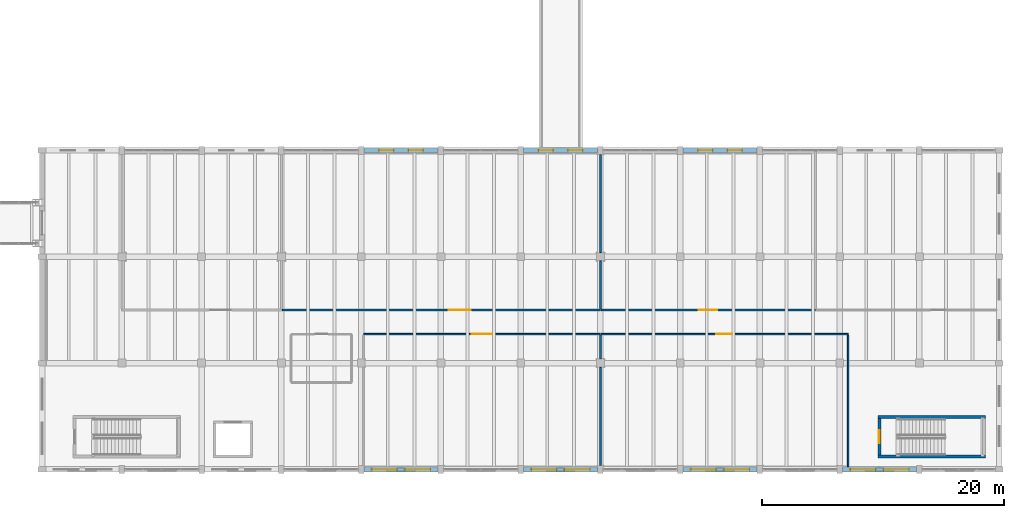
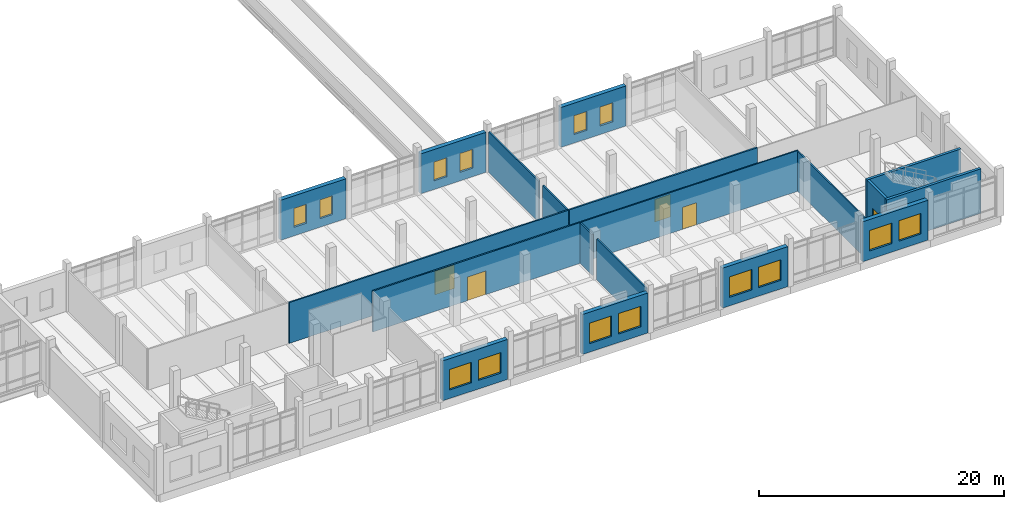
# One storey, part 75 of 101: 19 walls, 14 windows, 5 doors, 19 openings.
"""IFC4 building model written with IfcOpenShell, lengths in metres."""

from ifc_helpers import new_model, si_unit, direction, frame, frame_2d, origin, place, context, subcontext, project, spatial, rectangle, extrude, material, layer, layer_set, type_object, element, fill, save


model = new_model("IFC4")

# Units and contexts
model_context = context("Model", 3, precision=1e-05, world=origin(), true_north=direction((0.0, 1.0)))
body_context = subcontext(model_context, "Body", "Model", "MODEL_VIEW")
ifc_project = project(units=[si_unit("LENGTHUNIT", "METRE"), si_unit("AREAUNIT", "SQUARE_METRE"), si_unit("VOLUMEUNIT", "CUBIC_METRE"), si_unit("PLANEANGLEUNIT", "RADIAN"), si_unit("MASSUNIT", "GRAM", prefix="KILO")], contexts=[model_context])

# Site, building, storey
site_placement = place(None, origin())
site = spatial("IfcSite", under=ifc_project, at=site_placement, CompositionType="ELEMENT")
building_placement = place(site_placement, origin())
building = spatial("IfcBuilding", under=site, at=building_placement, Name="Dornvale Research Institute", CompositionType="ELEMENT")
storey_placement = place(building_placement, frame((0.0, 0.0, 10.199951171875)))
storey = spatial("IfcBuildingStorey", under=building, at=storey_placement, Name="L02", CompositionType="ELEMENT", Elevation=10.199951171875)

# Wall, opening, door
ifc_material_1 = material(Name="Epoxy-Coated Aluminum Honeycomb Cleanroom Partition", Category="aluminium")
ifc_layer_1 = layer(ifc_material_1, 0.139892578125)
ifc_layer_set_1 = layer_set([ifc_layer_1], Name="Epoxy-Coated Aluminum Honeycomb Cleanroom Partition")
wall_type_1 = type_object("IfcWallType", Name="Partition_Cleanroom_140", PredefinedType="PARTITIONING", material=ifc_layer_set_1)
wall_1_placement = place(storey_placement, frame((118.885009765625, 13.199951171875, 0.0), z_axis=(0.0, 0.0, 1.0), x_axis=(1.0, 0.0, 0.0)))
wall_1 = element("IfcWall", 1, at=wall_1_placement, inside=storey, type_object=wall_type_1, Name="L02 V3 interior partition #296", PredefinedType="PARTITIONING", context=body_context, shape_type="SweptSolid", body=[
    extrude(rectangle(XDim=26.31494140625, YDim=0.139892578125, at=frame_2d((13.157470703125, 0.0))), origin(), (0.0, 0.0, 1.0), 4.06494140625),
])
opening_1_placement = place(wall_1_placement, frame((13.7548828125, 0.0, 0.0)))
opening_1 = element("IfcOpeningElement", 2, at=opening_1_placement, cuts=wall_1, Name="Opening ID-02", PredefinedType="OPENING", context=body_context, shape_type="SweptSolid", body=[
    extrude(rectangle(XDim=1.820068359375, YDim=2.35009765625, at=frame_2d((0.91015625, 1.175048828125))), frame((0.0, 0.0849609375, 0.0), z_axis=(0.0, -1.0, 0.0), x_axis=(1.0, 0.0, 0.0)), (0.0, 0.0, 1.0), 0.169921875),
])
ifc_material_2 = material(Name="Insulated Fire-Rated Hollow Metal Door Assembly")
door_type_1 = type_object("IfcDoorType", Name="Door_CleanAirlock_1820x2350", OperationType="SINGLE_SWING_LEFT", PredefinedType="DOOR", material=ifc_material_2)
door_1_placement = place(opening_1_placement, origin())
door_1 = element("IfcDoor", 3, at=door_1_placement, inside=storey, type_object=door_type_1, Name="L02 ISO Class 7 Microfluidics Cleanroom Bay door #119", OperationType="DOUBLE_DOOR_SINGLE_SWING", OverallHeight=2.35009765625, OverallWidth=1.820068359375, PredefinedType="DOOR", context=body_context, shape_type="SweptSolid", body=[
    extrude(rectangle(XDim=1.820068359375, YDim=2.35009765625, at=frame_2d((0.91015625, 1.175048828125))), frame((0.0, 0.02490234375, 0.0), z_axis=(0.0, -1.0, 0.0), x_axis=(1.0, 0.0, 0.0)), (0.0, 0.0, 1.0), 0.050048828125),
])
fill(opening_1, door_1)

# Walls
wall_2_placement = place(storey_placement, frame((145.199951171875, 13.284912109375, 0.0), z_axis=(0.0, 0.0, 1.0), x_axis=(0.0, 1.0, 0.0)))
element("IfcWall", 4, at=wall_2_placement, inside=storey, type_object=wall_type_1, Name="L02 V3 interior partition #297", PredefinedType="PARTITIONING", context=body_context, shape_type="SweptSolid", body=[
    extrude(rectangle(XDim=3.969970703125, YDim=0.139892578125, at=frame_2d((1.98486328125, 0.0))), origin(), (0.0, 0.0, 1.0), 4.06494140625),
])
wall_3_placement = place(storey_placement, frame((145.199951171875, 17.945068359375, 0.0), z_axis=(0.0, 0.0, 1.0), x_axis=(0.0, 1.0, 0.0)))
element("IfcWall", 5, at=wall_3_placement, inside=storey, type_object=wall_type_1, Name="L02 V3 interior partition #298", PredefinedType="PARTITIONING", context=body_context, shape_type="SweptSolid", body=[
    extrude(rectangle(XDim=8.10986328125, YDim=0.139892578125, at=frame_2d((4.054931640625, 0.0))), origin(), (0.0, 0.0, 1.0), 4.06494140625),
])

# Wall, opening, door
wall_4_placement = place(storey_placement, frame((125.60009765625, 11.199951171875, 0.0), z_axis=(0.0, 0.0, 1.0), x_axis=(1.0, 0.0, 0.0)))
wall_4 = element("IfcWall", 6, at=wall_4_placement, inside=storey, type_object=wall_type_1, Name="L02 V3 interior partition #302", PredefinedType="PARTITIONING", context=body_context, shape_type="SweptSolid", body=[
    extrude(rectangle(XDim=19.599853515625, YDim=0.139892578125, at=frame_2d((9.7998046875, 0.0))), origin(), (0.0, 0.0, 1.0), 4.06494140625),
])
opening_2_placement = place(wall_4_placement, frame((8.93994140625, 0.0, 0.0)))
opening_2 = element("IfcOpeningElement", 7, at=opening_2_placement, cuts=wall_4, Name="Opening ID-03", PredefinedType="OPENING", context=body_context, shape_type="SweptSolid", body=[
    extrude(rectangle(XDim=1.719970703125, YDim=2.35009765625, at=frame_2d((0.85986328125, 1.175048828125))), frame((0.0, 0.0849609375, 0.0), z_axis=(0.0, -1.0, 0.0), x_axis=(1.0, 0.0, 0.0)), (0.0, 0.0, 1.0), 0.169921875),
])
ifc_material_3 = material(Name="Insulated Fire-Rated Hollow Metal Door Assembly")
door_type_2 = type_object("IfcDoorType", Name="Door_CleanBay_1720x2350", OperationType="SINGLE_SWING_LEFT", PredefinedType="DOOR", material=ifc_material_3)
door_2_placement = place(opening_2_placement, origin())
door_2 = element("IfcDoor", 8, at=door_2_placement, inside=storey, type_object=door_type_2, Name="L02 Cleanroom Return-Air Service Chase L02 door #122", OperationType="DOUBLE_DOOR_SINGLE_SWING", OverallHeight=2.35009765625, OverallWidth=1.719970703125, PredefinedType="DOOR", context=body_context, shape_type="SweptSolid", body=[
    extrude(rectangle(XDim=1.719970703125, YDim=2.35009765625, at=frame_2d((0.85986328125, 1.175048828125))), frame((0.0, 0.02490234375, 0.0), z_axis=(0.0, -1.0, 0.0), x_axis=(1.0, 0.0, 0.0)), (0.0, 0.0, 1.0), 0.050048828125),
])
fill(opening_2, door_2)

# Walls
wall_5_placement = place(storey_placement, frame((145.199951171875, 0.344970703125, 0.0), z_axis=(0.0, 0.0, 1.0), x_axis=(0.0, 1.0, 0.0)))
element("IfcWall", 9, at=wall_5_placement, inside=storey, type_object=wall_type_1, Name="L02 V3 interior partition #305", PredefinedType="PARTITIONING", context=body_context, shape_type="SweptSolid", body=[
    extrude(rectangle(XDim=8.110107421875, YDim=0.139892578125, at=frame_2d((4.05517578125, 0.0))), origin(), (0.0, 0.0, 1.0), 4.06494140625),
])
wall_6_placement = place(storey_placement, frame((145.199951171875, 9.14501953125, 0.0), z_axis=(0.0, 0.0, 1.0), x_axis=(0.0, 1.0, 0.0)))
element("IfcWall", 10, at=wall_6_placement, inside=storey, type_object=wall_type_1, Name="L02 V3 interior partition #306", PredefinedType="PARTITIONING", context=body_context, shape_type="SweptSolid", body=[
    extrude(rectangle(XDim=1.969970703125, YDim=0.139892578125, at=frame_2d((0.98486328125, 0.0))), origin(), (0.0, 0.0, 1.0), 4.06494140625),
])

# Wall, opening, door
ifc_material_4 = material(Name="Acoustic Insulated Double-Stud Laboratory Partition")
ifc_layer_2 = layer(ifc_material_4, 0.1201171875)
ifc_layer_set_2 = layer_set([ifc_layer_2], Name="Acoustic Insulated Double-Stud Laboratory Partition")
wall_type_2 = type_object("IfcWallType", Name="Partition_Dry_120", PredefinedType="PARTITIONING", material=ifc_layer_set_2)
wall_7_placement = place(storey_placement, frame((145.284912109375, 11.199951171875, 0.0), z_axis=(0.0, 0.0, 1.0), x_axis=(1.0, 0.0, 0.0)))
wall_7 = element("IfcWall", 11, at=wall_7_placement, inside=storey, type_object=wall_type_2, Name="L02 V3 interior partition #307", PredefinedType="PARTITIONING", context=body_context, shape_type="SweptSolid", body=[
    extrude(rectangle(XDim=20.4150390625, YDim=0.1201171875, at=frame_2d((10.20751953125, 0.0))), origin(), (0.0, 0.0, 1.0), 4.06494140625),
])
opening_3_placement = place(wall_7_placement, frame((9.5048828125, 0.0, 0.0)))
opening_3 = element("IfcOpeningElement", 12, at=opening_3_placement, cuts=wall_7, Name="Opening ID-09", PredefinedType="OPENING", context=body_context, shape_type="SweptSolid", body=[
    extrude(rectangle(XDim=1.320068359375, YDim=2.199951171875, at=frame_2d((0.66015625, 1.10009765625))), frame((0.0, 0.074951171875, 0.0), z_axis=(0.0, -1.0, 0.0), x_axis=(1.0, 0.0, 0.0)), (0.0, 0.0, 1.0), 0.150146484375),
])
ifc_material_5 = material(Name="Phenolic-Faced Solid-Core Laboratory Door Assembly")
door_type_3 = type_object("IfcDoorType", Name="Door_DryLab_1320x2200", OperationType="SINGLE_SWING_LEFT", PredefinedType="DOOR", material=ifc_material_5)
door_3_placement = place(opening_3_placement, origin())
door_3 = element("IfcDoor", 13, at=door_3_placement, inside=storey, type_object=door_type_3, Name="L02 Nanometrology Calibration Suite L02 door #123", OperationType="SINGLE_SWING_RIGHT", OverallHeight=2.199951171875, OverallWidth=1.320068359375, PredefinedType="DOOR", context=body_context, shape_type="SweptSolid", body=[
    extrude(rectangle(XDim=1.320068359375, YDim=2.199951171875, at=frame_2d((0.66015625, 1.10009765625))), frame((0.0, 0.02490234375, 0.0), z_axis=(0.0, -1.0, 0.0), x_axis=(1.0, 0.0, 0.0)), (0.0, 0.0, 1.0), 0.050048828125),
])
fill(opening_3, door_3)

# Wall
wall_8_placement = place(storey_placement, frame((165.699951171875, 0.215087890625, 0.0), z_axis=(0.0, 0.0, 1.0), x_axis=(0.0, 1.0, 0.0)))
element("IfcWall", 14, at=wall_8_placement, inside=storey, type_object=wall_type_2, Name="L02 V3 interior partition #308", PredefinedType="PARTITIONING", context=body_context, shape_type="SweptSolid", body=[
    extrude(rectangle(XDim=10.909912109375, YDim=0.1201171875, at=frame_2d((5.455078125, 0.0))), origin(), (0.0, 0.0, 1.0), 3.97998046875),
])

# Wall, opening, door
ifc_material_6 = material(Name="Acoustic Insulated Double-Stud Laboratory Partition")
ifc_layer_3 = layer(ifc_material_6, 0.14990234375)
ifc_layer_set_3 = layer_set([ifc_layer_3], Name="Acoustic Insulated Double-Stud Laboratory Partition")
wall_type_3 = type_object("IfcWallType", Name="Partition_Lab_150", PredefinedType="PARTITIONING", material=ifc_layer_set_3)
wall_9_placement = place(storey_placement, frame((145.284912109375, 13.199951171875, 0.0), z_axis=(0.0, 0.0, 1.0), x_axis=(1.0, 0.0, 0.0)))
wall_9 = element("IfcWall", 15, at=wall_9_placement, inside=storey, type_object=wall_type_3, Name="L02 V3 interior partition #299", PredefinedType="PARTITIONING", context=body_context, shape_type="SweptSolid", body=[
    extrude(rectangle(XDim=17.715087890625, YDim=0.14990234375, at=frame_2d((8.857421875, 0.0))), origin(), (0.0, 0.0, 1.0), 4.06494140625),
])
opening_4_placement = place(wall_9_placement, frame((8.06494140625, 0.0, 0.0)))
opening_4 = element("IfcOpeningElement", 16, at=opening_4_placement, cuts=wall_9, Name="Opening ID-06", PredefinedType="OPENING", context=body_context, shape_type="SweptSolid", body=[
    extrude(rectangle(XDim=1.5, YDim=2.25, at=frame_2d((0.75, 1.125))), frame((0.0, 0.08984375, 0.0), z_axis=(0.0, -1.0, 0.0), x_axis=(1.0, 0.0, 0.0)), (0.0, 0.0, 1.0), 0.179931640625),
])
ifc_material_7 = material(Name="Insulated Fire-Rated Hollow Metal Door Assembly")
door_type_4 = type_object("IfcDoorType", Name="Door_WetLab_1500x2250", OperationType="SINGLE_SWING_LEFT", PredefinedType="DOOR", material=ifc_material_7)
door_4_placement = place(opening_4_placement, origin())
door_4 = element("IfcDoor", 17, at=door_4_placement, inside=storey, type_object=door_type_4, Name="L02 Optical Wafer Inspection Laboratory door #120", OperationType="SINGLE_SWING_LEFT", OverallHeight=2.25, OverallWidth=1.5, PredefinedType="DOOR", context=body_context, shape_type="SweptSolid", body=[
    extrude(rectangle(XDim=1.5, YDim=2.25, at=frame_2d((0.75, 1.125))), frame((0.0, 0.02490234375, 0.0), z_axis=(0.0, -1.0, 0.0), x_axis=(1.0, 0.0, 0.0)), (0.0, 0.0, 1.0), 0.050048828125),
])
fill(opening_4, door_4)

# Walls
ifc_material_8 = material(Name="Concrete f'c 45 MPa (C35/45)", Category="concrete")
ifc_layer_4 = layer(ifc_material_8, 0.25)
ifc_layer_set_4 = layer_set([ifc_layer_4], Name="Concrete f'c 45 MPa (C35/45)")
wall_type_4 = type_object("IfcWallType", Name="ShearWall_Core_250", PredefinedType="SHEAR", material=ifc_layer_set_4)
for number, where, z_axis, x_axis, name in (
    (18, (168.14990234375, 1.074951171875, 0.0), (0.0, 0.0, 1.0), (1.0, 0.0, 0.0), "L02 ST-6 shaft shear wall south"),
    (19, (168.14990234375, 4.324951171875, 0.0), (0.0, 0.0, 1.0), (1.0, 0.0, 0.0), "L02 ST-6 shaft shear wall north"),
):
    element("IfcWall", number, at=place(storey_placement, frame(where, z_axis=z_axis, x_axis=x_axis)), inside=storey, type_object=wall_type_4, Name=name, PredefinedType="SHEAR", context=body_context, shape_type="SweptSolid", body=[
        extrude(rectangle(XDim=8.900146484375, YDim=0.25, at=frame_2d((4.4501953125, 0.0))), origin(), (0.0, 0.0, 1.0), 4.43994140625),
    ])

# Wall, opening, door
wall_10_placement = place(storey_placement, frame((168.27490234375, 1.199951171875, 0.0), z_axis=(0.0, 0.0, 1.0), x_axis=(0.0, 1.0, 0.0)))
wall_10 = element("IfcWall", 20, at=wall_10_placement, inside=storey, type_object=wall_type_4, Name="L02 ST-6 shaft shear wall west", PredefinedType="SHEAR", context=body_context, shape_type="SweptSolid", body=[
    extrude(rectangle(XDim=3.0, YDim=0.25, at=frame_2d((1.5, 0.0))), origin(), (0.0, 0.0, 1.0), 4.43994140625),
])
opening_5_placement = place(wall_10_placement, frame((0.9599609375, 0.0, 0.0)))
opening_5 = element("IfcOpeningElement", 21, at=opening_5_placement, cuts=wall_10, Name="Opening SD-02", PredefinedType="OPENING", context=body_context, shape_type="SweptSolid", body=[
    extrude(rectangle(XDim=1.080078125, YDim=2.199951171875, at=frame_2d((0.5400390625, 1.10009765625))), frame((0.0, 0.139892578125, 0.0), z_axis=(0.0, -1.0, 0.0), x_axis=(1.0, 0.0, 0.0)), (0.0, 0.0, 1.0), 0.280029296875),
])
ifc_material_9 = material(Name="Insulated Fire-Rated Hollow Metal Door Assembly")
door_type_5 = type_object("IfcDoorType", Name="Door_Stair_1080x2200", OperationType="SINGLE_SWING_LEFT", PredefinedType="DOOR", material=ifc_material_9)
door_5_placement = place(opening_5_placement, origin())
door_5 = element("IfcDoor", 22, at=door_5_placement, inside=storey, type_object=door_type_5, Name="L02 ST-6 exit stair door #49", OperationType="SINGLE_SWING_LEFT", OverallHeight=2.199951171875, OverallWidth=1.080078125, PredefinedType="DOOR", context=body_context, shape_type="SweptSolid", body=[
    extrude(rectangle(XDim=1.080078125, YDim=2.199951171875, at=frame_2d((0.5400390625, 1.10009765625))), frame((0.0, 0.02490234375, 0.0), z_axis=(0.0, -1.0, 0.0), x_axis=(1.0, 0.0, 0.0)), (0.0, 0.0, 1.0), 0.050048828125),
])
fill(opening_5, door_5)

# Wall, openings, windows
ifc_material_10 = material(Name="Precast Concrete f'c 40 MPa (C32/40) and Glazed Terracotta Backup Wall", Category="masonry")
ifc_layer_5 = layer(ifc_material_10, 0.39990234375)
ifc_layer_set_5 = layer_set([ifc_layer_5], Name="Precast Concrete f'c 40 MPa (C32/40) and Glazed Terracotta Backup Wall")
wall_type_5 = type_object("IfcWallType", Name="StandardWall_CleanroomExt_400", PredefinedType="STANDARD", material=ifc_layer_set_5)
wall_11_placement = place(storey_placement, frame((125.625, 26.39990234375, 0.0), z_axis=(0.0, 0.0, 1.0), x_axis=(1.0, 0.0, 0.0)))
wall_11 = element("IfcWall", 23, at=wall_11_placement, inside=storey, type_object=wall_type_5, Name="L02 V3 north exterior wall #153", PredefinedType="STANDARD", context=body_context, shape_type="SweptSolid", body=[
    extrude(rectangle(XDim=6.14990234375, YDim=0.39990234375, at=frame_2d((3.074951171875, 0.0))), origin(), (0.0, 0.0, 1.0), 3.97998046875),
])
opening_6_placement = place(wall_11_placement, frame((1.25, 0.0, 0.85009765625)))
opening_6 = element("IfcOpeningElement", 24, at=opening_6_placement, cuts=wall_11, Name="Opening W-25", PredefinedType="OPENING", context=body_context, shape_type="SweptSolid", body=[
    extrude(rectangle(XDim=1.199951171875, YDim=1.8798828125, at=frame_2d((0.60009765625, 0.93994140625))), frame((0.0, 0.21484375, 0.0), z_axis=(0.0, -1.0, 0.0), x_axis=(1.0, 0.0, 0.0)), (0.0, 0.0, 1.0), 0.429931640625),
])
opening_7_placement = place(wall_11_placement, frame((3.699951171875, 0.0, 0.85009765625)))
opening_7 = element("IfcOpeningElement", 25, at=opening_7_placement, cuts=wall_11, Name="Opening W-25", PredefinedType="OPENING", context=body_context, shape_type="SweptSolid", body=[
    extrude(rectangle(XDim=1.199951171875, YDim=1.8798828125, at=frame_2d((0.60009765625, 0.93994140625))), frame((0.0, 0.21484375, 0.0), z_axis=(0.0, -1.0, 0.0), x_axis=(1.0, 0.0, 0.0)), (0.0, 0.0, 1.0), 0.429931640625),
])
ifc_material_11 = material(Name="Low-E Argon Double Insulating Glazing Unit", Category="glass")
window_type_1 = type_object("IfcWindowType", Name="Window_Alu_1200x1880_25", PartitioningType="SINGLE_PANEL", PredefinedType="WINDOW", material=ifc_material_11)
window_1_placement = place(opening_6_placement, origin())
window_1 = element("IfcWindow", 26, at=window_1_placement, inside=storey, type_object=window_type_1, Name="L02 V3 facade window W-25 #196", OverallHeight=1.8798828125, OverallWidth=1.199951171875, PartitioningType="SINGLE_PANEL", PredefinedType="WINDOW", context=body_context, shape_type="SweptSolid", body=[
    extrude(rectangle(XDim=1.199951171875, YDim=1.8798828125, at=frame_2d((0.60009765625, 0.93994140625))), frame((0.0, 0.030029296875, 0.0), z_axis=(0.0, -1.0, 0.0), x_axis=(1.0, 0.0, 0.0)), (0.0, 0.0, 1.0), 0.06005859375),
])
fill(opening_6, window_1)
window_2_placement = place(opening_7_placement, origin())
window_2 = element("IfcWindow", 27, at=window_2_placement, inside=storey, type_object=window_type_1, Name="L02 V3 facade window W-25 #197", OverallHeight=1.8798828125, OverallWidth=1.199951171875, PartitioningType="SINGLE_PANEL", PredefinedType="WINDOW", context=body_context, shape_type="SweptSolid", body=[
    extrude(rectangle(XDim=1.199951171875, YDim=1.8798828125, at=frame_2d((0.60009765625, 0.93994140625))), frame((0.0, 0.030029296875, 0.0), z_axis=(0.0, -1.0, 0.0), x_axis=(1.0, 0.0, 0.0)), (0.0, 0.0, 1.0), 0.06005859375),
])
fill(opening_7, window_2)

wall_12_placement = place(storey_placement, frame((138.824951171875, 26.39990234375, 0.0), z_axis=(0.0, 0.0, 1.0), x_axis=(1.0, 0.0, 0.0)))
wall_12 = element("IfcWall", 28, at=wall_12_placement, inside=storey, type_object=wall_type_5, Name="L02 V3 north exterior wall #154", PredefinedType="STANDARD", context=body_context, shape_type="SweptSolid", body=[
    extrude(rectangle(XDim=6.150146484375, YDim=0.39990234375, at=frame_2d((3.0751953125, 0.0))), origin(), (0.0, 0.0, 1.0), 3.97998046875),
])
opening_8_placement = place(wall_12_placement, frame((1.25, 0.0, 0.85009765625)))
opening_8 = element("IfcOpeningElement", 29, at=opening_8_placement, cuts=wall_12, Name="Opening W-25", PredefinedType="OPENING", context=body_context, shape_type="SweptSolid", body=[
    extrude(rectangle(XDim=1.199951171875, YDim=1.8798828125, at=frame_2d((0.60009765625, 0.93994140625))), frame((0.0, 0.21484375, 0.0), z_axis=(0.0, -1.0, 0.0), x_axis=(1.0, 0.0, 0.0)), (0.0, 0.0, 1.0), 0.429931640625),
])
opening_9_placement = place(wall_12_placement, frame((3.699951171875, 0.0, 0.85009765625)))
opening_9 = element("IfcOpeningElement", 30, at=opening_9_placement, cuts=wall_12, Name="Opening W-25", PredefinedType="OPENING", context=body_context, shape_type="SweptSolid", body=[
    extrude(rectangle(XDim=1.199951171875, YDim=1.8798828125, at=frame_2d((0.60009765625, 0.93994140625))), frame((0.0, 0.21484375, 0.0), z_axis=(0.0, -1.0, 0.0), x_axis=(1.0, 0.0, 0.0)), (0.0, 0.0, 1.0), 0.429931640625),
])
window_3_placement = place(opening_8_placement, origin())
window_3 = element("IfcWindow", 31, at=window_3_placement, inside=storey, type_object=window_type_1, Name="L02 V3 facade window W-25 #198", OverallHeight=1.8798828125, OverallWidth=1.199951171875, PartitioningType="SINGLE_PANEL", PredefinedType="WINDOW", context=body_context, shape_type="SweptSolid", body=[
    extrude(rectangle(XDim=1.199951171875, YDim=1.8798828125, at=frame_2d((0.60009765625, 0.93994140625))), frame((0.0, 0.030029296875, 0.0), z_axis=(0.0, -1.0, 0.0), x_axis=(1.0, 0.0, 0.0)), (0.0, 0.0, 1.0), 0.06005859375),
])
fill(opening_8, window_3)
window_4_placement = place(opening_9_placement, origin())
window_4 = element("IfcWindow", 32, at=window_4_placement, inside=storey, type_object=window_type_1, Name="L02 V3 facade window W-25 #199", OverallHeight=1.8798828125, OverallWidth=1.199951171875, PartitioningType="SINGLE_PANEL", PredefinedType="WINDOW", context=body_context, shape_type="SweptSolid", body=[
    extrude(rectangle(XDim=1.199951171875, YDim=1.8798828125, at=frame_2d((0.60009765625, 0.93994140625))), frame((0.0, 0.030029296875, 0.0), z_axis=(0.0, -1.0, 0.0), x_axis=(1.0, 0.0, 0.0)), (0.0, 0.0, 1.0), 0.06005859375),
])
fill(opening_9, window_4)

wall_13_placement = place(storey_placement, frame((152.02490234375, 26.39990234375, 0.0), z_axis=(0.0, 0.0, 1.0), x_axis=(1.0, 0.0, 0.0)))
wall_13 = element("IfcWall", 33, at=wall_13_placement, inside=storey, type_object=wall_type_5, Name="L02 V3 north exterior wall #155", PredefinedType="STANDARD", context=body_context, shape_type="SweptSolid", body=[
    extrude(rectangle(XDim=6.150146484375, YDim=0.39990234375, at=frame_2d((3.0751953125, 0.0))), origin(), (0.0, 0.0, 1.0), 3.97998046875),
])
opening_10_placement = place(wall_13_placement, frame((1.25, 0.0, 0.85009765625)))
opening_10 = element("IfcOpeningElement", 34, at=opening_10_placement, cuts=wall_13, Name="Opening W-25", PredefinedType="OPENING", context=body_context, shape_type="SweptSolid", body=[
    extrude(rectangle(XDim=1.199951171875, YDim=1.8798828125, at=frame_2d((0.60009765625, 0.93994140625))), frame((0.0, 0.21484375, 0.0), z_axis=(0.0, -1.0, 0.0), x_axis=(1.0, 0.0, 0.0)), (0.0, 0.0, 1.0), 0.429931640625),
])
opening_11_placement = place(wall_13_placement, frame((3.699951171875, 0.0, 0.85009765625)))
opening_11 = element("IfcOpeningElement", 35, at=opening_11_placement, cuts=wall_13, Name="Opening W-25", PredefinedType="OPENING", context=body_context, shape_type="SweptSolid", body=[
    extrude(rectangle(XDim=1.199951171875, YDim=1.8798828125, at=frame_2d((0.60009765625, 0.93994140625))), frame((0.0, 0.21484375, 0.0), z_axis=(0.0, -1.0, 0.0), x_axis=(1.0, 0.0, 0.0)), (0.0, 0.0, 1.0), 0.429931640625),
])
window_5_placement = place(opening_10_placement, origin())
window_5 = element("IfcWindow", 36, at=window_5_placement, inside=storey, type_object=window_type_1, Name="L02 V3 facade window W-25 #200", OverallHeight=1.8798828125, OverallWidth=1.199951171875, PartitioningType="SINGLE_PANEL", PredefinedType="WINDOW", context=body_context, shape_type="SweptSolid", body=[
    extrude(rectangle(XDim=1.199951171875, YDim=1.8798828125, at=frame_2d((0.60009765625, 0.93994140625))), frame((0.0, 0.030029296875, 0.0), z_axis=(0.0, -1.0, 0.0), x_axis=(1.0, 0.0, 0.0)), (0.0, 0.0, 1.0), 0.06005859375),
])
fill(opening_10, window_5)
window_6_placement = place(opening_11_placement, origin())
window_6 = element("IfcWindow", 37, at=window_6_placement, inside=storey, type_object=window_type_1, Name="L02 V3 facade window W-25 #201", OverallHeight=1.8798828125, OverallWidth=1.199951171875, PartitioningType="SINGLE_PANEL", PredefinedType="WINDOW", context=body_context, shape_type="SweptSolid", body=[
    extrude(rectangle(XDim=1.199951171875, YDim=1.8798828125, at=frame_2d((0.60009765625, 0.93994140625))), frame((0.0, 0.030029296875, 0.0), z_axis=(0.0, -1.0, 0.0), x_axis=(1.0, 0.0, 0.0)), (0.0, 0.0, 1.0), 0.06005859375),
])
fill(opening_11, window_6)

wall_14_placement = place(storey_placement, frame((171.375, 0.0, 0.0), z_axis=(0.0, 0.0, 1.0), x_axis=(-1.0, 0.0, 0.0)))
wall_14 = element("IfcWall", 38, at=wall_14_placement, inside=storey, type_object=wall_type_5, Name="L02 V3 south exterior wall #160", PredefinedType="STANDARD", context=body_context, shape_type="SweptSolid", body=[
    extrude(rectangle(XDim=6.14990234375, YDim=0.39990234375, at=frame_2d((3.074951171875, 0.0))), origin(), (0.0, 0.0, 1.0), 3.97998046875),
])
opening_12_placement = place(wall_14_placement, frame((0.64990234375, 0.0, 0.85009765625)))
opening_12 = element("IfcOpeningElement", 39, at=opening_12_placement, cuts=wall_14, Name="Opening W-31", PredefinedType="OPENING", context=body_context, shape_type="SweptSolid", body=[
    extrude(rectangle(XDim=2.10009765625, YDim=2.0400390625, at=frame_2d((1.050048828125, 1.02001953125))), frame((0.0, 0.21484375, 0.0), z_axis=(0.0, -1.0, 0.0), x_axis=(1.0, 0.0, 0.0)), (0.0, 0.0, 1.0), 0.429931640625),
])
opening_13_placement = place(wall_14_placement, frame((3.39990234375, 0.0, 0.85009765625)))
opening_13 = element("IfcOpeningElement", 40, at=opening_13_placement, cuts=wall_14, Name="Opening W-31", PredefinedType="OPENING", context=body_context, shape_type="SweptSolid", body=[
    extrude(rectangle(XDim=2.10009765625, YDim=2.0400390625, at=frame_2d((1.050048828125, 1.02001953125))), frame((0.0, 0.21484375, 0.0), z_axis=(0.0, -1.0, 0.0), x_axis=(1.0, 0.0, 0.0)), (0.0, 0.0, 1.0), 0.429931640625),
])
ifc_material_12 = material(Name="Low-E Argon Double Insulating Glazing Unit", Category="glass")
window_type_2 = type_object("IfcWindowType", Name="Window_Alu_2100x2040_31", PartitioningType="DOUBLE_PANEL_VERTICAL", PredefinedType="WINDOW", material=ifc_material_12)
window_7_placement = place(opening_12_placement, origin())
window_7 = element("IfcWindow", 41, at=window_7_placement, inside=storey, type_object=window_type_2, Name="L02 V3 facade window W-31 #210", OverallHeight=2.0400390625, OverallWidth=2.10009765625, PartitioningType="DOUBLE_PANEL_VERTICAL", PredefinedType="WINDOW", context=body_context, shape_type="SweptSolid", body=[
    extrude(rectangle(XDim=2.10009765625, YDim=2.0400390625, at=frame_2d((1.050048828125, 1.02001953125))), frame((0.0, 0.030029296875, 0.0), z_axis=(0.0, -1.0, 0.0), x_axis=(1.0, 0.0, 0.0)), (0.0, 0.0, 1.0), 0.06005859375),
])
fill(opening_12, window_7)
window_8_placement = place(opening_13_placement, origin())
window_8 = element("IfcWindow", 42, at=window_8_placement, inside=storey, type_object=window_type_2, Name="L02 V3 facade window W-31 #211", OverallHeight=2.0400390625, OverallWidth=2.10009765625, PartitioningType="DOUBLE_PANEL_VERTICAL", PredefinedType="WINDOW", context=body_context, shape_type="SweptSolid", body=[
    extrude(rectangle(XDim=2.10009765625, YDim=2.0400390625, at=frame_2d((1.050048828125, 1.02001953125))), frame((0.0, 0.030029296875, 0.0), z_axis=(0.0, -1.0, 0.0), x_axis=(1.0, 0.0, 0.0)), (0.0, 0.0, 1.0), 0.06005859375),
])
fill(opening_13, window_8)

wall_15_placement = place(storey_placement, frame((158.175048828125, 0.0, 0.0), z_axis=(0.0, 0.0, 1.0), x_axis=(-1.0, 0.0, 0.0)))
wall_15 = element("IfcWall", 43, at=wall_15_placement, inside=storey, type_object=wall_type_5, Name="L02 V3 south exterior wall #161", PredefinedType="STANDARD", context=body_context, shape_type="SweptSolid", body=[
    extrude(rectangle(XDim=6.150146484375, YDim=0.39990234375, at=frame_2d((3.0751953125, 0.0))), origin(), (0.0, 0.0, 1.0), 3.97998046875),
])
opening_14_placement = place(wall_15_placement, frame((0.64990234375, 0.0, 0.85009765625)))
opening_14 = element("IfcOpeningElement", 44, at=opening_14_placement, cuts=wall_15, Name="Opening W-31", PredefinedType="OPENING", context=body_context, shape_type="SweptSolid", body=[
    extrude(rectangle(XDim=2.10009765625, YDim=2.0400390625, at=frame_2d((1.050048828125, 1.02001953125))), frame((0.0, 0.21484375, 0.0), z_axis=(0.0, -1.0, 0.0), x_axis=(1.0, 0.0, 0.0)), (0.0, 0.0, 1.0), 0.429931640625),
])
opening_15_placement = place(wall_15_placement, frame((3.39990234375, 0.0, 0.85009765625)))
opening_15 = element("IfcOpeningElement", 45, at=opening_15_placement, cuts=wall_15, Name="Opening W-31", PredefinedType="OPENING", context=body_context, shape_type="SweptSolid", body=[
    extrude(rectangle(XDim=2.10009765625, YDim=2.0400390625, at=frame_2d((1.050048828125, 1.02001953125))), frame((0.0, 0.21484375, 0.0), z_axis=(0.0, -1.0, 0.0), x_axis=(1.0, 0.0, 0.0)), (0.0, 0.0, 1.0), 0.429931640625),
])
window_9_placement = place(opening_14_placement, origin())
window_9 = element("IfcWindow", 46, at=window_9_placement, inside=storey, type_object=window_type_2, Name="L02 V3 facade window W-31 #212", OverallHeight=2.0400390625, OverallWidth=2.10009765625, PartitioningType="DOUBLE_PANEL_VERTICAL", PredefinedType="WINDOW", context=body_context, shape_type="SweptSolid", body=[
    extrude(rectangle(XDim=2.10009765625, YDim=2.0400390625, at=frame_2d((1.050048828125, 1.02001953125))), frame((0.0, 0.030029296875, 0.0), z_axis=(0.0, -1.0, 0.0), x_axis=(1.0, 0.0, 0.0)), (0.0, 0.0, 1.0), 0.06005859375),
])
fill(opening_14, window_9)
window_10_placement = place(opening_15_placement, origin())
window_10 = element("IfcWindow", 47, at=window_10_placement, inside=storey, type_object=window_type_2, Name="L02 V3 facade window W-31 #213", OverallHeight=2.0400390625, OverallWidth=2.10009765625, PartitioningType="DOUBLE_PANEL_VERTICAL", PredefinedType="WINDOW", context=body_context, shape_type="SweptSolid", body=[
    extrude(rectangle(XDim=2.10009765625, YDim=2.0400390625, at=frame_2d((1.050048828125, 1.02001953125))), frame((0.0, 0.030029296875, 0.0), z_axis=(0.0, -1.0, 0.0), x_axis=(1.0, 0.0, 0.0)), (0.0, 0.0, 1.0), 0.06005859375),
])
fill(opening_15, window_10)

wall_16_placement = place(storey_placement, frame((144.97509765625, 0.0, 0.0), z_axis=(0.0, 0.0, 1.0), x_axis=(-1.0, 0.0, 0.0)))
wall_16 = element("IfcWall", 48, at=wall_16_placement, inside=storey, type_object=wall_type_5, Name="L02 V3 south exterior wall #162", PredefinedType="STANDARD", context=body_context, shape_type="SweptSolid", body=[
    extrude(rectangle(XDim=6.150146484375, YDim=0.39990234375, at=frame_2d((3.0751953125, 0.0))), origin(), (0.0, 0.0, 1.0), 3.97998046875),
])
opening_16_placement = place(wall_16_placement, frame((0.64990234375, 0.0, 0.85009765625)))
opening_16 = element("IfcOpeningElement", 49, at=opening_16_placement, cuts=wall_16, Name="Opening W-31", PredefinedType="OPENING", context=body_context, shape_type="SweptSolid", body=[
    extrude(rectangle(XDim=2.10009765625, YDim=2.0400390625, at=frame_2d((1.050048828125, 1.02001953125))), frame((0.0, 0.21484375, 0.0), z_axis=(0.0, -1.0, 0.0), x_axis=(1.0, 0.0, 0.0)), (0.0, 0.0, 1.0), 0.429931640625),
])
opening_17_placement = place(wall_16_placement, frame((3.39990234375, 0.0, 0.85009765625)))
opening_17 = element("IfcOpeningElement", 50, at=opening_17_placement, cuts=wall_16, Name="Opening W-31", PredefinedType="OPENING", context=body_context, shape_type="SweptSolid", body=[
    extrude(rectangle(XDim=2.10009765625, YDim=2.0400390625, at=frame_2d((1.050048828125, 1.02001953125))), frame((0.0, 0.21484375, 0.0), z_axis=(0.0, -1.0, 0.0), x_axis=(1.0, 0.0, 0.0)), (0.0, 0.0, 1.0), 0.429931640625),
])
window_11_placement = place(opening_16_placement, origin())
window_11 = element("IfcWindow", 51, at=window_11_placement, inside=storey, type_object=window_type_2, Name="L02 V3 facade window W-31 #214", OverallHeight=2.0400390625, OverallWidth=2.10009765625, PartitioningType="DOUBLE_PANEL_VERTICAL", PredefinedType="WINDOW", context=body_context, shape_type="SweptSolid", body=[
    extrude(rectangle(XDim=2.10009765625, YDim=2.0400390625, at=frame_2d((1.050048828125, 1.02001953125))), frame((0.0, 0.030029296875, 0.0), z_axis=(0.0, -1.0, 0.0), x_axis=(1.0, 0.0, 0.0)), (0.0, 0.0, 1.0), 0.06005859375),
])
fill(opening_16, window_11)
window_12_placement = place(opening_17_placement, origin())
window_12 = element("IfcWindow", 52, at=window_12_placement, inside=storey, type_object=window_type_2, Name="L02 V3 facade window W-31 #215", OverallHeight=2.0400390625, OverallWidth=2.10009765625, PartitioningType="DOUBLE_PANEL_VERTICAL", PredefinedType="WINDOW", context=body_context, shape_type="SweptSolid", body=[
    extrude(rectangle(XDim=2.10009765625, YDim=2.0400390625, at=frame_2d((1.050048828125, 1.02001953125))), frame((0.0, 0.030029296875, 0.0), z_axis=(0.0, -1.0, 0.0), x_axis=(1.0, 0.0, 0.0)), (0.0, 0.0, 1.0), 0.06005859375),
])
fill(opening_17, window_12)

wall_17_placement = place(storey_placement, frame((131.77490234375, 0.0, 0.0), z_axis=(0.0, 0.0, 1.0), x_axis=(-1.0, 0.0, 0.0)))
wall_17 = element("IfcWall", 53, at=wall_17_placement, inside=storey, type_object=wall_type_5, Name="L02 V3 south exterior wall #163", PredefinedType="STANDARD", context=body_context, shape_type="SweptSolid", body=[
    extrude(rectangle(XDim=6.14990234375, YDim=0.39990234375, at=frame_2d((3.074951171875, 0.0))), origin(), (0.0, 0.0, 1.0), 3.97998046875),
])
opening_18_placement = place(wall_17_placement, frame((0.64990234375, 0.0, 0.85009765625)))
opening_18 = element("IfcOpeningElement", 54, at=opening_18_placement, cuts=wall_17, Name="Opening W-31", PredefinedType="OPENING", context=body_context, shape_type="SweptSolid", body=[
    extrude(rectangle(XDim=2.10009765625, YDim=2.0400390625, at=frame_2d((1.050048828125, 1.02001953125))), frame((0.0, 0.21484375, 0.0), z_axis=(0.0, -1.0, 0.0), x_axis=(1.0, 0.0, 0.0)), (0.0, 0.0, 1.0), 0.429931640625),
])
opening_19_placement = place(wall_17_placement, frame((3.39990234375, 0.0, 0.85009765625)))
opening_19 = element("IfcOpeningElement", 55, at=opening_19_placement, cuts=wall_17, Name="Opening W-31", PredefinedType="OPENING", context=body_context, shape_type="SweptSolid", body=[
    extrude(rectangle(XDim=2.10009765625, YDim=2.0400390625, at=frame_2d((1.050048828125, 1.02001953125))), frame((0.0, 0.21484375, 0.0), z_axis=(0.0, -1.0, 0.0), x_axis=(1.0, 0.0, 0.0)), (0.0, 0.0, 1.0), 0.429931640625),
])
window_13_placement = place(opening_18_placement, origin())
window_13 = element("IfcWindow", 56, at=window_13_placement, inside=storey, type_object=window_type_2, Name="L02 V3 facade window W-31 #216", OverallHeight=2.0400390625, OverallWidth=2.10009765625, PartitioningType="DOUBLE_PANEL_VERTICAL", PredefinedType="WINDOW", context=body_context, shape_type="SweptSolid", body=[
    extrude(rectangle(XDim=2.10009765625, YDim=2.0400390625, at=frame_2d((1.050048828125, 1.02001953125))), frame((0.0, 0.030029296875, 0.0), z_axis=(0.0, -1.0, 0.0), x_axis=(1.0, 0.0, 0.0)), (0.0, 0.0, 1.0), 0.06005859375),
])
fill(opening_18, window_13)
window_14_placement = place(opening_19_placement, origin())
window_14 = element("IfcWindow", 57, at=window_14_placement, inside=storey, type_object=window_type_2, Name="L02 V3 facade window W-31 #217", OverallHeight=2.0400390625, OverallWidth=2.10009765625, PartitioningType="DOUBLE_PANEL_VERTICAL", PredefinedType="WINDOW", context=body_context, shape_type="SweptSolid", body=[
    extrude(rectangle(XDim=2.10009765625, YDim=2.0400390625, at=frame_2d((1.050048828125, 1.02001953125))), frame((0.0, 0.030029296875, 0.0), z_axis=(0.0, -1.0, 0.0), x_axis=(1.0, 0.0, 0.0)), (0.0, 0.0, 1.0), 0.06005859375),
])
fill(opening_19, window_14)

save(model, "model.ifc")
